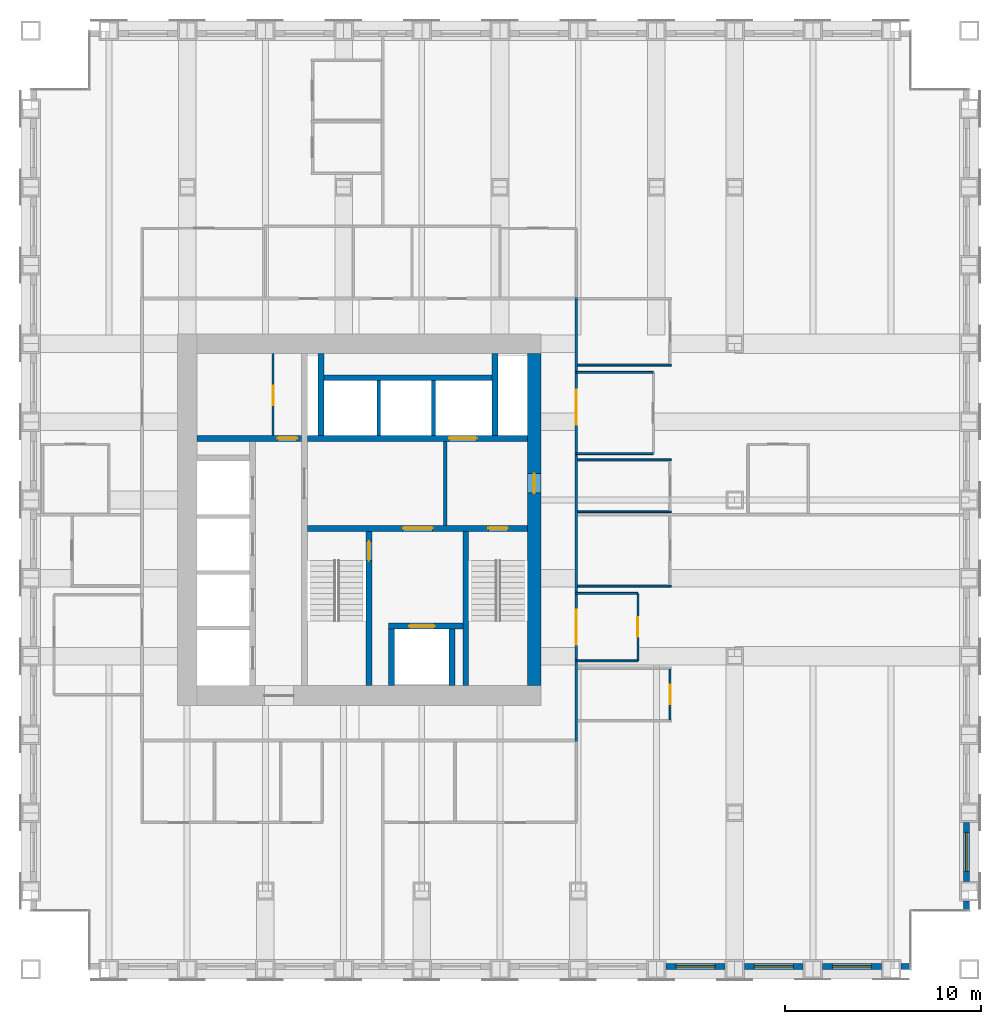
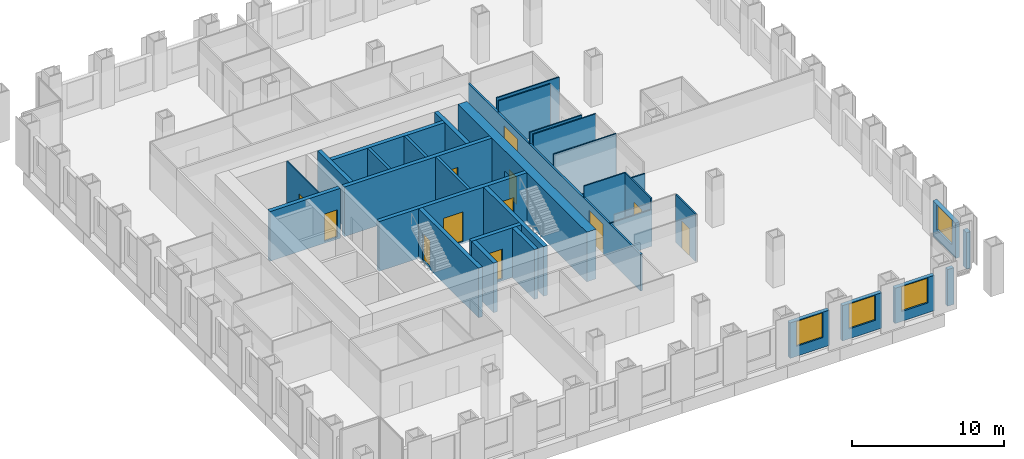
# One storey, part 12 of 16: 33 walls, 12 doors, 4 windows, 16 openings.
"""IFC4 building model written with IfcOpenShell, lengths in metres."""

from ifc_helpers import new_model, si_unit, direction, frame, frame_2d, origin, place, context, subcontext, project, spatial, rectangle, extrude, material, layer, layer_set, type_object, element, fill, save


model = new_model("IFC4")

# Units and contexts
model_context = context("Model", 3, precision=1e-05, world=origin(), true_north=direction((0.0, 1.0)))
body_context = subcontext(model_context, "Body", "Model", "MODEL_VIEW")
ifc_project = project(units=[si_unit("LENGTHUNIT", "METRE"), si_unit("AREAUNIT", "SQUARE_METRE"), si_unit("VOLUMEUNIT", "CUBIC_METRE"), si_unit("PLANEANGLEUNIT", "RADIAN"), si_unit("MASSUNIT", "GRAM", prefix="KILO")], contexts=[model_context])

# Site, building, storey
site_placement = place(None, origin())
site = spatial("IfcSite", under=ifc_project, at=site_placement, CompositionType="ELEMENT")
building_placement = place(site_placement, origin())
building = spatial("IfcBuilding", under=site, at=building_placement, Name="Rimbunsela Tower", CompositionType="ELEMENT")
storey_placement = place(building_placement, frame((0.0, 0.0, 129.39990234375)))
storey = spatial("IfcBuildingStorey", under=building, at=storey_placement, Name="L31", CompositionType="ELEMENT", Elevation=129.39990234375)

# Wall, openings, doors
ifc_material_1 = material(Name="Concrete fc' 80 MPa", Category="concrete")
ifc_layer_1 = layer(ifc_material_1, 0.300048828125)
ifc_layer_set_1 = layer_set([ifc_layer_1], Name="Core internal wall 300")
wall_type_1 = type_object("IfcWallType", Name="Core internal wall 300", PredefinedType="SHEAR", material=ifc_layer_set_1)
wall_1_placement = place(storey_placement, frame((24.14990234375, 26.550048828125, -0.14990234375), z_axis=(0.0, 0.0, 1.0), x_axis=(1.0, 0.0, 0.0)))
wall_1 = element("IfcWall", 1, at=wall_1_placement, inside=storey, type_object=wall_type_1, Name="Core wall lobby south", PredefinedType="SHEAR", context=body_context, shape_type="SweptSolid", body=[
    extrude(rectangle(XDim=11.25, YDim=0.300048828125, at=frame_2d((5.625, 0.0))), origin(), (0.0, 0.0, 1.0), 4.0),
])
opening_1_placement = place(wall_1_placement, frame((9.25, 0.0, 0.14990234375)))
opening_1 = element("IfcOpeningElement", 2, at=opening_1_placement, cuts=wall_1, Name="Opening D01", PredefinedType="OPENING", context=body_context, shape_type="SweptSolid", body=[
    extrude(rectangle(XDim=1.0, YDim=2.199951171875, at=frame_2d((0.5, 1.10009765625))), frame((0.0, 0.159912109375, 0.0), z_axis=(0.0, -1.0, 0.0), x_axis=(1.0, 0.0, 0.0)), (0.0, 0.0, 1.0), 0.320068359375),
])
opening_2_placement = place(wall_1_placement, frame((4.89990234375, 0.0, 0.14990234375)))
opening_2 = element("IfcOpeningElement", 3, at=opening_2_placement, cuts=wall_1, Name="Opening D03", PredefinedType="OPENING", context=body_context, shape_type="SweptSolid", body=[
    extrude(rectangle(XDim=1.5, YDim=2.39990234375, at=frame_2d((0.75, 1.199951171875))), frame((0.0, 0.159912109375, 0.0), z_axis=(0.0, -1.0, 0.0), x_axis=(1.0, 0.0, 0.0)), (0.0, 0.0, 1.0), 0.320068359375),
])
ifc_material_2 = material(Name="Steel door, fire rated", Category="steel")
door_type_1 = type_object("IfcDoorType", Name="Core lobby door 1500", OperationType="DOUBLE_DOOR_DOUBLE_SWING", PredefinedType="DOOR", material=ifc_material_2)
door_1_placement = place(opening_2_placement, origin())
door_1 = element("IfcDoor", 4, at=door_1_placement, inside=storey, type_object=door_type_1, Name="Firefighting lobby door", OperationType="DOUBLE_DOOR_DOUBLE_SWING", OverallHeight=2.39990234375, OverallWidth=1.5, PredefinedType="DOOR", context=body_context, shape_type="SweptSolid", body=[
    extrude(rectangle(XDim=1.5, YDim=2.39990234375, at=frame_2d((0.75, 1.199951171875))), frame((0.0, 0.02490234375, 0.0), z_axis=(0.0, -1.0, 0.0), x_axis=(1.0, 0.0, 0.0)), (0.0, 0.0, 1.0), 0.050048828125),
])
fill(opening_2, door_1)
ifc_material_3 = material(Name="Steel door, fire rated", Category="steel")
door_type_2 = type_object("IfcDoorType", Name="Stair door 1000", OperationType="SINGLE_SWING_RIGHT", PredefinedType="DOOR", material=ifc_material_3)
door_2_placement = place(opening_1_placement, frame((1.0, 0.0, 0.0), z_axis=(0.0, 0.0, 1.0), x_axis=(-1.0, 0.0, 0.0)))
door_2 = element("IfcDoor", 5, at=door_2_placement, inside=storey, type_object=door_type_2, Name="Stair B door", OperationType="SINGLE_SWING_RIGHT", OverallHeight=2.199951171875, OverallWidth=1.0, PredefinedType="DOOR", context=body_context, shape_type="SweptSolid", body=[
    extrude(rectangle(XDim=1.0, YDim=2.199951171875, at=frame_2d((0.5, 1.10009765625))), frame((0.0, 0.02490234375, 0.0), z_axis=(0.0, -1.0, 0.0), x_axis=(1.0, 0.0, 0.0)), (0.0, 0.0, 1.0), 0.050048828125),
])
fill(opening_1, door_2)

# Wall, opening, door
wall_2_placement = place(storey_placement, frame((27.300048828125, 18.5, -0.14990234375), z_axis=(0.0, 0.0, 1.0), x_axis=(0.0, 1.0, 0.0)))
wall_2 = element("IfcWall", 6, at=wall_2_placement, inside=storey, type_object=wall_type_1, Name="Stair A enclosure", PredefinedType="SHEAR", context=body_context, shape_type="SweptSolid", body=[
    extrude(rectangle(XDim=7.89990234375, YDim=0.300048828125, at=frame_2d((3.949951171875, 0.0))), origin(), (0.0, 0.0, 1.0), 4.0),
])
opening_3_placement = place(wall_2_placement, frame((6.39990234375, 0.0, 0.14990234375)))
opening_3 = element("IfcOpeningElement", 7, at=opening_3_placement, cuts=wall_2, Name="Opening D01", PredefinedType="OPENING", context=body_context, shape_type="SweptSolid", body=[
    extrude(rectangle(XDim=1.0, YDim=2.199951171875, at=frame_2d((0.5, 1.10009765625))), frame((0.0, 0.159912109375, 0.0), z_axis=(0.0, -1.0, 0.0), x_axis=(1.0, 0.0, 0.0)), (0.0, 0.0, 1.0), 0.320068359375),
])
door_3_placement = place(opening_3_placement, origin())
door_3 = element("IfcDoor", 8, at=door_3_placement, inside=storey, type_object=door_type_2, Name="Stair A door", OperationType="SINGLE_SWING_RIGHT", OverallHeight=2.199951171875, OverallWidth=1.0, PredefinedType="DOOR", context=body_context, shape_type="SweptSolid", body=[
    extrude(rectangle(XDim=1.0, YDim=2.199951171875, at=frame_2d((0.5, 1.10009765625))), frame((0.0, 0.02490234375, 0.0), z_axis=(0.0, -1.0, 0.0), x_axis=(1.0, 0.0, 0.0)), (0.0, 0.0, 1.0), 0.050048828125),
])
fill(opening_3, door_3)

# Walls
wall_3_placement = place(storey_placement, frame((32.25, 18.5, -0.14990234375), z_axis=(0.0, 0.0, 1.0), x_axis=(0.0, 1.0, 0.0)))
element("IfcWall", 9, at=wall_3_placement, inside=storey, type_object=wall_type_1, Name="Stair B enclosure", PredefinedType="SHEAR", context=body_context, shape_type="SweptSolid", body=[
    extrude(rectangle(XDim=7.89990234375, YDim=0.300048828125, at=frame_2d((3.949951171875, 0.0))), origin(), (0.0, 0.0, 1.0), 4.0),
])
for number, where, z_axis, x_axis, name in (
    (10, (28.449951171875, 18.5, -0.14990234375), (0.0, 0.0, 1.0), (0.0, 1.0, 0.0), "Firefighting lift shaft west"),
    (11, (31.550048828125, 18.5, -0.14990234375), (0.0, 0.0, 1.0), (0.0, 1.0, 0.0), "Firefighting lift shaft east"),
):
    element("IfcWall", number, at=place(storey_placement, frame(where, z_axis=z_axis, x_axis=x_axis)), inside=storey, type_object=wall_type_1, Name=name, PredefinedType="SHEAR", context=body_context, shape_type="SweptSolid", body=[
        extrude(rectangle(XDim=2.89990234375, YDim=0.300048828125, at=frame_2d((1.449951171875, 0.0))), origin(), (0.0, 0.0, 1.0), 4.0),
    ])

# Wall, opening, door
wall_4_placement = place(storey_placement, frame((28.300048828125, 21.550048828125, -0.14990234375), z_axis=(0.0, 0.0, 1.0), x_axis=(1.0, 0.0, 0.0)))
wall_4 = element("IfcWall", 12, at=wall_4_placement, inside=storey, type_object=wall_type_1, Name="Firefighting lift shaft front", PredefinedType="SHEAR", context=body_context, shape_type="SweptSolid", body=[
    extrude(rectangle(XDim=3.800048828125, YDim=0.300048828125, at=frame_2d((1.89990234375, 0.0))), origin(), (0.0, 0.0, 1.0), 4.0),
])
opening_4_placement = place(wall_4_placement, frame((1.050048828125, 0.0, 0.14990234375)))
opening_4 = element("IfcOpeningElement", 13, at=opening_4_placement, cuts=wall_4, Name="Opening LD2", PredefinedType="OPENING", context=body_context, shape_type="SweptSolid", body=[
    extrude(rectangle(XDim=1.300048828125, YDim=2.39990234375, at=frame_2d((0.64990234375, 1.199951171875))), frame((0.0, 0.159912109375, 0.0), z_axis=(0.0, -1.0, 0.0), x_axis=(1.0, 0.0, 0.0)), (0.0, 0.0, 1.0), 0.320068359375),
])
ifc_material_4 = material(Name="Steel door, fire rated", Category="steel")
door_type_3 = type_object("IfcDoorType", Name="Lift landing door 1300", OperationType="DOUBLE_DOOR_SLIDING", PredefinedType="DOOR", material=ifc_material_4)
door_4_placement = place(opening_4_placement, origin())
door_4 = element("IfcDoor", 14, at=door_4_placement, inside=storey, type_object=door_type_3, Name="Lift landing door FL1", OperationType="DOUBLE_DOOR_SLIDING", OverallHeight=2.39990234375, OverallWidth=1.300048828125, PredefinedType="DOOR", context=body_context, shape_type="SweptSolid", body=[
    extrude(rectangle(XDim=1.300048828125, YDim=2.39990234375, at=frame_2d((0.64990234375, 1.199951171875))), frame((0.0, 0.02490234375, 0.0), z_axis=(0.0, -1.0, 0.0), x_axis=(1.0, 0.0, 0.0)), (0.0, 0.0, 1.0), 0.050048828125),
])
fill(opening_4, door_4)

wall_5_placement = place(storey_placement, frame((24.14990234375, 31.14990234375, -0.14990234375), z_axis=(0.0, 0.0, 1.0), x_axis=(1.0, 0.0, 0.0)))
wall_5 = element("IfcWall", 15, at=wall_5_placement, inside=storey, type_object=wall_type_1, Name="Lift shaft front north", PredefinedType="SHEAR", context=body_context, shape_type="SweptSolid", body=[
    extrude(rectangle(XDim=11.25, YDim=0.300048828125, at=frame_2d((5.625, 0.0))), origin(), (0.0, 0.0, 1.0), 4.0),
])
opening_5_placement = place(wall_5_placement, frame((7.25, 0.0, 0.14990234375)))
opening_5 = element("IfcOpeningElement", 16, at=opening_5_placement, cuts=wall_5, Name="Opening LD3", PredefinedType="OPENING", context=body_context, shape_type="SweptSolid", body=[
    extrude(rectangle(XDim=1.39990234375, YDim=2.39990234375, at=frame_2d((0.699951171875, 1.199951171875))), frame((0.0, 0.159912109375, 0.0), z_axis=(0.0, -1.0, 0.0), x_axis=(1.0, 0.0, 0.0)), (0.0, 0.0, 1.0), 0.320068359375),
])
ifc_material_5 = material(Name="Steel door, fire rated", Category="steel")
door_type_4 = type_object("IfcDoorType", Name="Lift landing door 1400", OperationType="DOUBLE_DOOR_SLIDING", PredefinedType="DOOR", material=ifc_material_5)
door_5_placement = place(opening_5_placement, origin())
door_5 = element("IfcDoor", 17, at=door_5_placement, inside=storey, type_object=door_type_4, Name="Lift landing door FL2", OperationType="DOUBLE_DOOR_SLIDING", OverallHeight=2.39990234375, OverallWidth=1.39990234375, PredefinedType="DOOR", context=body_context, shape_type="SweptSolid", body=[
    extrude(rectangle(XDim=1.39990234375, YDim=2.39990234375, at=frame_2d((0.699951171875, 1.199951171875))), frame((0.0, 0.02490234375, 0.0), z_axis=(0.0, -1.0, 0.0), x_axis=(1.0, 0.0, 0.0)), (0.0, 0.0, 1.0), 0.050048828125),
])
fill(opening_5, door_5)

wall_6_placement = place(storey_placement, frame((18.5, 31.14990234375, -0.14990234375), z_axis=(0.0, 0.0, 1.0), x_axis=(1.0, 0.0, 0.0)))
wall_6 = element("IfcWall", 18, at=wall_6_placement, inside=storey, type_object=wall_type_1, Name="Store wall", PredefinedType="SHEAR", context=body_context, shape_type="SweptSolid", body=[
    extrude(rectangle(XDim=5.35009765625, YDim=0.300048828125, at=frame_2d((2.675048828125, 0.0))), origin(), (0.0, 0.0, 1.0), 4.0),
])
opening_6_placement = place(wall_6_placement, frame((4.125, 0.0, 0.14990234375)))
opening_6 = element("IfcOpeningElement", 19, at=opening_6_placement, cuts=wall_6, Name="Opening D19", PredefinedType="OPENING", context=body_context, shape_type="SweptSolid", body=[
    extrude(rectangle(XDim=1.0, YDim=2.199951171875, at=frame_2d((0.5, 1.10009765625))), frame((0.0, 0.159912109375, 0.0), z_axis=(0.0, -1.0, 0.0), x_axis=(1.0, 0.0, 0.0)), (0.0, 0.0, 1.0), 0.320068359375),
])
ifc_material_6 = material(Name="Steel door, fire rated", Category="steel")
door_type_5 = type_object("IfcDoorType", Name="Service door 1000 fire rated", OperationType="SINGLE_SWING_LEFT", PredefinedType="DOOR", material=ifc_material_6)
door_6_placement = place(opening_6_placement, origin())
door_6 = element("IfcDoor", 20, at=door_6_placement, inside=storey, type_object=door_type_5, Name="Facilities store door", OperationType="SINGLE_SWING_LEFT", OverallHeight=2.199951171875, OverallWidth=1.0, PredefinedType="DOOR", context=body_context, shape_type="SweptSolid", body=[
    extrude(rectangle(XDim=1.0, YDim=2.199951171875, at=frame_2d((0.5, 1.10009765625))), frame((0.0, 0.02490234375, 0.0), z_axis=(0.0, -1.0, 0.0), x_axis=(1.0, 0.0, 0.0)), (0.0, 0.0, 1.0), 0.050048828125),
])
fill(opening_6, door_6)

# Walls
for number, where, z_axis, x_axis, name in (
    (21, (24.85009765625, 31.300048828125, -0.14990234375), (0.0, 0.0, 1.0), (0.0, 1.0, 0.0), "Riser wall"),
    (22, (33.75, 31.300048828125, -0.14990234375), (0.0, 0.0, 1.0), (0.0, 1.0, 0.0), "Riser wall"),
):
    element("IfcWall", number, at=place(storey_placement, frame(where, z_axis=z_axis, x_axis=x_axis)), inside=storey, type_object=wall_type_1, Name=name, PredefinedType="SHEAR", context=body_context, shape_type="SweptSolid", body=[
        extrude(rectangle(XDim=4.199951171875, YDim=0.300048828125, at=frame_2d((2.10009765625, 0.0))), origin(), (0.0, 0.0, 1.0), 4.0),
    ])
wall_7_placement = place(storey_placement, frame((25.0, 34.25, -0.14990234375), z_axis=(0.0, 0.0, 1.0), x_axis=(1.0, 0.0, 0.0)))
element("IfcWall", 23, at=wall_7_placement, inside=storey, type_object=wall_type_1, Name="Lift shaft rear north", PredefinedType="SHEAR", context=body_context, shape_type="SweptSolid", body=[
    extrude(rectangle(XDim=8.60009765625, YDim=0.300048828125, at=frame_2d((4.300048828125, 0.0))), origin(), (0.0, 0.0, 1.0), 4.0),
])

# Wall, opening, door
ifc_material_7 = material(Name="Concrete blockwork", Category="masonry")
ifc_layer_2 = layer(ifc_material_7, 0.10009765625)
ifc_layer_set_2 = layer_set([ifc_layer_2], Name="Core room partition 100")
wall_type_2 = type_object("IfcWallType", Name="Core room partition 100", PredefinedType="PARTITIONING", material=ifc_layer_set_2)
wall_8_placement = place(storey_placement, frame((22.39990234375, 31.300048828125, 0.0), z_axis=(0.0, 0.0, 1.0), x_axis=(0.0, 1.0, 0.0)))
wall_8 = element("IfcWall", 24, at=wall_8_placement, inside=storey, type_object=wall_type_2, Name="Tenant store wall", PredefinedType="PARTITIONING", context=body_context, shape_type="SweptSolid", body=[
    extrude(rectangle(XDim=4.199951171875, YDim=0.10009765625, at=frame_2d((2.10009765625, 0.0))), origin(), (0.0, 0.0, 1.0), 3.85009765625),
])
opening_7_placement = place(wall_8_placement, frame((1.550048828125, 0.0, 0.0)))
opening_7 = element("IfcOpeningElement", 25, at=opening_7_placement, cuts=wall_8, Name="Opening D19", PredefinedType="OPENING", context=body_context, shape_type="SweptSolid", body=[
    extrude(rectangle(XDim=1.0, YDim=2.199951171875, at=frame_2d((0.5, 1.10009765625))), frame((0.0, 0.06005859375, 0.0), z_axis=(0.0, -1.0, 0.0), x_axis=(1.0, 0.0, 0.0)), (0.0, 0.0, 1.0), 0.1201171875),
])
door_7_placement = place(opening_7_placement, origin())
door_7 = element("IfcDoor", 26, at=door_7_placement, inside=storey, type_object=door_type_5, Name="Tenant store door", OperationType="SINGLE_SWING_LEFT", OverallHeight=2.199951171875, OverallWidth=1.0, PredefinedType="DOOR", context=body_context, shape_type="SweptSolid", body=[
    extrude(rectangle(XDim=1.0, YDim=2.199951171875, at=frame_2d((0.5, 1.10009765625))), frame((0.0, 0.02490234375, 0.0), z_axis=(0.0, -1.0, 0.0), x_axis=(1.0, 0.0, 0.0)), (0.0, 0.0, 1.0), 0.050048828125),
])
fill(opening_7, door_7)

ifc_material_8 = material(Name="Concrete fc' 80 MPa", Category="concrete")
ifc_layer_3 = layer(ifc_material_8, 0.699951171875)
ifc_layer_set_3 = layer_set([ifc_layer_3], Name="Core wall 700 east")
wall_type_3 = type_object("IfcWallType", Name="Core wall 700 east", PredefinedType="SHEAR", material=ifc_layer_set_3)
wall_9_placement = place(storey_placement, frame((35.75, 18.5, -0.14990234375), z_axis=(0.0, 0.0, 1.0), x_axis=(0.0, 1.0, 0.0)))
wall_9 = element("IfcWall", 27, at=wall_9_placement, inside=storey, type_object=wall_type_3, Name="Core wall east", PredefinedType="SHEAR", context=body_context, shape_type="SweptSolid", body=[
    extrude(rectangle(XDim=17.0, YDim=0.699951171875, at=frame_2d((8.5, 0.0))), origin(), (0.0, 0.0, 1.0), 4.0),
])
opening_8_placement = place(wall_9_placement, frame((9.85009765625, 0.0, 0.14990234375)))
opening_8 = element("IfcOpeningElement", 28, at=opening_8_placement, cuts=wall_9, Name="Opening D01", PredefinedType="OPENING", context=body_context, shape_type="SweptSolid", body=[
    extrude(rectangle(XDim=1.0, YDim=2.199951171875, at=frame_2d((0.5, 1.10009765625))), frame((0.0, 0.35986328125, 0.0), z_axis=(0.0, -1.0, 0.0), x_axis=(1.0, 0.0, 0.0)), (0.0, 0.0, 1.0), 0.719970703125),
])
door_8_placement = place(opening_8_placement, origin())
door_8 = element("IfcDoor", 29, at=door_8_placement, inside=storey, type_object=door_type_2, Name="Firefighting lobby 2 door", OperationType="SINGLE_SWING_RIGHT", OverallHeight=2.199951171875, OverallWidth=1.0, PredefinedType="DOOR", context=body_context, shape_type="SweptSolid", body=[
    extrude(rectangle(XDim=1.0, YDim=2.199951171875, at=frame_2d((0.5, 1.10009765625))), frame((0.0, 0.02490234375, 0.0), z_axis=(0.0, -1.0, 0.0), x_axis=(1.0, 0.0, 0.0)), (0.0, 0.0, 1.0), 0.050048828125),
])
fill(opening_8, door_8)

# Walls
ifc_material_9 = material(Name="Concrete blockwork", Category="masonry")
ifc_layer_4 = layer(ifc_material_9, 0.199951171875)
ifc_layer_set_4 = layer_set([ifc_layer_4], Name="Lift shaft wall 200")
wall_type_4 = type_object("IfcWallType", Name="Lift shaft wall 200", PredefinedType="SOLIDWALL", material=ifc_layer_set_4)
for number, where, z_axis, x_axis, name in (
    (30, (27.800048828125, 31.300048828125, -0.14990234375), (0.0, 0.0, 1.0), (0.0, 1.0, 0.0), "Lift shaft separation"),
    (31, (30.60009765625, 31.300048828125, -0.14990234375), (0.0, 0.0, 1.0), (0.0, 1.0, 0.0), "Lift shaft separation"),
):
    element("IfcWall", number, at=place(storey_placement, frame(where, z_axis=z_axis, x_axis=x_axis)), inside=storey, type_object=wall_type_4, Name=name, PredefinedType="SOLIDWALL", context=body_context, shape_type="SweptSolid", body=[
        extrude(rectangle(XDim=2.800048828125, YDim=0.199951171875, at=frame_2d((1.39990234375, 0.0))), origin(), (0.0, 0.0, 1.0), 4.0),
    ])
wall_10_placement = place(storey_placement, frame((31.199951171875, 26.699951171875, 0.0), z_axis=(0.0, 0.0, 1.0), x_axis=(0.0, 1.0, 0.0)))
element("IfcWall", 32, at=wall_10_placement, inside=storey, type_object=wall_type_4, Name="Firefighting lobby 2 wall", PredefinedType="SOLIDWALL", context=body_context, shape_type="SweptSolid", body=[
    extrude(rectangle(XDim=4.300048828125, YDim=0.199951171875, at=frame_2d((2.14990234375, 0.0))), origin(), (0.0, 0.0, 1.0), 3.85009765625),
])
ifc_material_10 = material(Name="Gypsum board on steel studs", Category="steel")
ifc_layer_5 = layer(ifc_material_10, 0.10009765625)
ifc_layer_set_5 = layer_set([ifc_layer_5], Name="Office partition 100")
wall_type_5 = type_object("IfcWallType", Name="Office partition 100", PredefinedType="PARTITIONING", material=ifc_layer_set_5)
wall_11_placement = place(storey_placement, frame((37.97509765625, 23.59912109375, 0.0), z_axis=(0.0, 0.0, 1.0), x_axis=(1.0, 0.0, 0.0)))
element("IfcWall", 33, at=wall_11_placement, inside=storey, type_object=wall_type_5, Name="Office partition", PredefinedType="PARTITIONING", context=body_context, shape_type="SweptSolid", body=[
    extrude(rectangle(XDim=4.77490234375, YDim=0.10009765625, at=frame_2d((2.387451171875, 0.0))), origin(), (0.0, 0.0, 1.0), 2.9501953125),
])
for number, where, z_axis, x_axis, name in (
    (34, (37.97509765625, 27.39990234375, 0.0), (0.0, 0.0, 1.0), (1.0, 0.0, 0.0), "Office partition"),
    (35, (37.97509765625, 30.050048828125, 0.0), (0.0, 0.0, 1.0), (1.0, 0.0, 0.0), "Office partition"),
    (36, (37.97509765625, 34.89990234375, 0.0), (0.0, 0.0, 1.0), (1.0, 0.0, 0.0), "Office partition"),
):
    element("IfcWall", number, at=place(storey_placement, frame(where, z_axis=z_axis, x_axis=x_axis)), inside=storey, type_object=wall_type_5, Name=name, PredefinedType="PARTITIONING", context=body_context, shape_type="SweptSolid", body=[
        extrude(rectangle(XDim=4.77490234375, YDim=0.10009765625, at=frame_2d((2.387451171875, 0.0))), origin(), (0.0, 0.0, 1.0), 3.85009765625),
    ])

# Wall, opening, door
wall_12_placement = place(storey_placement, frame((42.699951171875, 16.75, 0.0), z_axis=(0.0, 0.0, 1.0), x_axis=(0.0, 1.0, 0.0)))
wall_12 = element("IfcWall", 37, at=wall_12_placement, inside=storey, type_object=wall_type_5, Name="Office partition", PredefinedType="PARTITIONING", context=body_context, shape_type="SweptSolid", body=[
    extrude(rectangle(XDim=2.59912109375, YDim=0.10009765625, at=frame_2d((1.299560546875, 0.0))), origin(), (0.0, 0.0, 1.0), 3.85009765625),
])
opening_9_placement = place(wall_12_placement, frame((0.799560546875, 0.0, 0.0)))
opening_9 = element("IfcOpeningElement", 38, at=opening_9_placement, cuts=wall_12, Name="Opening D16", PredefinedType="OPENING", context=body_context, shape_type="SweptSolid", body=[
    extrude(rectangle(XDim=1.0, YDim=2.199951171875, at=frame_2d((0.5, 1.10009765625))), frame((0.0, 0.06005859375, 0.0), z_axis=(0.0, -1.0, 0.0), x_axis=(1.0, 0.0, 0.0)), (0.0, 0.0, 1.0), 0.1201171875),
])
ifc_material_11 = material(Name="Timber door", Category="wood")
door_type_6 = type_object("IfcDoorType", Name="Office door 1000", OperationType="SINGLE_SWING_LEFT", PredefinedType="DOOR", material=ifc_material_11)
door_9_placement = place(opening_9_placement, origin())
door_9 = element("IfcDoor", 39, at=door_9_placement, inside=storey, type_object=door_type_6, Name="Office door", OperationType="SINGLE_SWING_LEFT", OverallHeight=2.199951171875, OverallWidth=1.0, PredefinedType="DOOR", context=body_context, shape_type="SweptSolid", body=[
    extrude(rectangle(XDim=1.0, YDim=2.199951171875, at=frame_2d((0.5, 1.10009765625))), frame((0.0, 0.02490234375, 0.0), z_axis=(0.0, -1.0, 0.0), x_axis=(1.0, 0.0, 0.0)), (0.0, 0.0, 1.0), 0.050048828125),
])
fill(opening_9, door_9)

# Wall
wall_13_placement = place(storey_placement, frame((37.89990234375, 19.77392578125, 0.0), z_axis=(0.0, 0.0, 1.0), x_axis=(1.0, 0.0, 0.0)))
element("IfcWall", 40, at=wall_13_placement, inside=storey, type_object=wall_type_5, Name="Office partition", PredefinedType="PARTITIONING", context=body_context, shape_type="SweptSolid", body=[
    extrude(rectangle(XDim=3.150146484375, YDim=0.10009765625, at=frame_2d((1.5751953125, 0.0))), origin(), (0.0, 0.0, 1.0), 2.9501953125),
])

# Wall, opening, door
wall_14_placement = place(storey_placement, frame((41.050048828125, 19.77392578125, 0.0), z_axis=(0.0, 0.0, 1.0), x_axis=(0.0, 1.0, 0.0)))
wall_14 = element("IfcWall", 41, at=wall_14_placement, inside=storey, type_object=wall_type_5, Name="Office partition", PredefinedType="PARTITIONING", context=body_context, shape_type="SweptSolid", body=[
    extrude(rectangle(XDim=3.4501953125, YDim=0.10009765625, at=frame_2d((1.72509765625, 0.0))), origin(), (0.0, 0.0, 1.0), 3.85009765625),
])
opening_10_placement = place(wall_14_placement, frame((1.22509765625, 0.0, 0.0)))
opening_10 = element("IfcOpeningElement", 42, at=opening_10_placement, cuts=wall_14, Name="Opening D17", PredefinedType="OPENING", context=body_context, shape_type="SweptSolid", body=[
    extrude(rectangle(XDim=1.0, YDim=2.199951171875, at=frame_2d((0.5, 1.10009765625))), frame((0.0, 0.06005859375, 0.0), z_axis=(0.0, -1.0, 0.0), x_axis=(1.0, 0.0, 0.0)), (0.0, 0.0, 1.0), 0.1201171875),
])
ifc_material_12 = material(Name="Glazed aluminium door", Category="aluminium")
door_type_7 = type_object("IfcDoorType", Name="Meeting room door 1000 glazed", OperationType="SINGLE_SWING_RIGHT", PredefinedType="DOOR", material=ifc_material_12)
door_10_placement = place(opening_10_placement, origin())
door_10 = element("IfcDoor", 43, at=door_10_placement, inside=storey, type_object=door_type_7, Name="Reception door", OperationType="SINGLE_SWING_RIGHT", OverallHeight=2.199951171875, OverallWidth=1.0, PredefinedType="DOOR", context=body_context, shape_type="SweptSolid", body=[
    extrude(rectangle(XDim=1.0, YDim=2.199951171875, at=frame_2d((0.5, 1.10009765625))), frame((0.0, 0.02490234375, 0.0), z_axis=(0.0, -1.0, 0.0), x_axis=(1.0, 0.0, 0.0)), (0.0, 0.0, 1.0), 0.050048828125),
])
fill(opening_10, door_10)

# Walls
wall_15_placement = place(storey_placement, frame((41.050048828125, 23.22412109375, 0.0), z_axis=(0.0, 0.0, 1.0), x_axis=(-1.0, 0.0, 0.0)))
element("IfcWall", 44, at=wall_15_placement, inside=storey, type_object=wall_type_5, Name="Office partition", PredefinedType="PARTITIONING", context=body_context, shape_type="SweptSolid", body=[
    extrude(rectangle(XDim=3.150146484375, YDim=0.10009765625, at=frame_2d((1.5751953125, 0.0))), origin(), (0.0, 0.0, 1.0), 3.85009765625),
])
for number, where, z_axis, x_axis, name in (
    (45, (37.89990234375, 30.3759765625, 0.0), (0.0, 0.0, 1.0), (1.0, 0.0, 0.0), "Office partition"),
    (46, (41.85009765625, 34.52587890625, 0.0), (0.0, 0.0, 1.0), (-1.0, 0.0, 0.0), "Office partition"),
):
    element("IfcWall", number, at=place(storey_placement, frame(where, z_axis=z_axis, x_axis=x_axis)), inside=storey, type_object=wall_type_5, Name=name, PredefinedType="PARTITIONING", context=body_context, shape_type="SweptSolid", body=[
        extrude(rectangle(XDim=3.9501953125, YDim=0.10009765625, at=frame_2d((1.97509765625, 0.0))), origin(), (0.0, 0.0, 1.0), 3.85009765625),
    ])

# Wall, opening, window
ifc_material_13 = material(Name="Precast concrete fc' 35 MPa", Category="concrete")
ifc_layer_6 = layer(ifc_material_13, 0.300048828125)
ifc_layer_set_6 = layer_set([ifc_layer_6], Name="Precast concrete fc' 35 MPa")
wall_type_6 = type_object("IfcWallType", Name="Precast facade panel 300", PredefinedType="ELEMENTEDWALL", material=ifc_layer_set_6)
wall_16_placement = place(storey_placement, frame((42.5, 4.14990234375, 0.0), z_axis=(0.0, 0.0, 1.0), x_axis=(1.0, 0.0, 0.0)))
wall_16 = element("IfcWall", 47, at=wall_16_placement, inside=storey, type_object=wall_type_6, Name="Facade panel S L31", PredefinedType="ELEMENTEDWALL", context=body_context, shape_type="SweptSolid", body=[
    extrude(rectangle(XDim=3.0, YDim=0.300048828125, at=frame_2d((1.5, 0.0))), origin(), (0.0, 0.0, 1.0), 2.85009765625),
])
opening_11_placement = place(wall_16_placement, frame((0.5, 0.0, 0.800048828125)))
opening_11 = element("IfcOpeningElement", 48, at=opening_11_placement, cuts=wall_16, Name="Opening W1", PredefinedType="OPENING", context=body_context, shape_type="SweptSolid", body=[
    extrude(rectangle(XDim=2.0, YDim=2.0, at=frame_2d((1.0, 1.0))), frame((0.0, 0.159912109375, 0.0), z_axis=(0.0, -1.0, 0.0), x_axis=(1.0, 0.0, 0.0)), (0.0, 0.0, 1.0), 0.320068359375),
])
ifc_material_14 = material(Name="Clear glass in aluminium frame", Category="aluminium")
window_type = type_object("IfcWindowType", Name="Window W1 2000x2000", PartitioningType="DOUBLE_PANEL_VERTICAL", PredefinedType="WINDOW", material=ifc_material_14)
window_1_placement = place(opening_11_placement, origin())
window_1 = element("IfcWindow", 49, at=window_1_placement, inside=storey, type_object=window_type, Name="Window L31", OverallHeight=2.0, OverallWidth=2.0, PartitioningType="SINGLE_PANEL", PredefinedType="WINDOW", context=body_context, shape_type="SweptSolid", body=[
    extrude(rectangle(XDim=2.0, YDim=2.0, at=frame_2d((1.0, 1.0))), frame((0.0, 0.030029296875, 0.0), z_axis=(0.0, -1.0, 0.0), x_axis=(1.0, 0.0, 0.0)), (0.0, 0.0, 1.0), 0.06005859375),
])
fill(opening_11, window_1)

wall_17_placement = place(storey_placement, frame((46.5, 4.14990234375, 0.0), z_axis=(0.0, 0.0, 1.0), x_axis=(1.0, 0.0, 0.0)))
wall_17 = element("IfcWall", 50, at=wall_17_placement, inside=storey, type_object=wall_type_6, Name="Facade panel S L31", PredefinedType="ELEMENTEDWALL", context=body_context, shape_type="SweptSolid", body=[
    extrude(rectangle(XDim=3.0, YDim=0.300048828125, at=frame_2d((1.5, 0.0))), origin(), (0.0, 0.0, 1.0), 2.85009765625),
])
opening_12_placement = place(wall_17_placement, frame((0.5, 0.0, 0.800048828125)))
opening_12 = element("IfcOpeningElement", 51, at=opening_12_placement, cuts=wall_17, Name="Opening W1", PredefinedType="OPENING", context=body_context, shape_type="SweptSolid", body=[
    extrude(rectangle(XDim=2.0, YDim=2.0, at=frame_2d((1.0, 1.0))), frame((0.0, 0.159912109375, 0.0), z_axis=(0.0, -1.0, 0.0), x_axis=(1.0, 0.0, 0.0)), (0.0, 0.0, 1.0), 0.320068359375),
])
window_2_placement = place(opening_12_placement, origin())
window_2 = element("IfcWindow", 52, at=window_2_placement, inside=storey, type_object=window_type, Name="Window L31", OverallHeight=2.0, OverallWidth=2.0, PartitioningType="SINGLE_PANEL", PredefinedType="WINDOW", context=body_context, shape_type="SweptSolid", body=[
    extrude(rectangle(XDim=2.0, YDim=2.0, at=frame_2d((1.0, 1.0))), frame((0.0, 0.030029296875, 0.0), z_axis=(0.0, -1.0, 0.0), x_axis=(1.0, 0.0, 0.0)), (0.0, 0.0, 1.0), 0.06005859375),
])
fill(opening_12, window_2)

wall_18_placement = place(storey_placement, frame((50.5, 4.14990234375, 0.0), z_axis=(0.0, 0.0, 1.0), x_axis=(1.0, 0.0, 0.0)))
wall_18 = element("IfcWall", 53, at=wall_18_placement, inside=storey, type_object=wall_type_6, Name="Facade panel S L31", PredefinedType="ELEMENTEDWALL", context=body_context, shape_type="SweptSolid", body=[
    extrude(rectangle(XDim=3.0, YDim=0.300048828125, at=frame_2d((1.5, 0.0))), origin(), (0.0, 0.0, 1.0), 2.85009765625),
])
opening_13_placement = place(wall_18_placement, frame((0.5, 0.0, 0.800048828125)))
opening_13 = element("IfcOpeningElement", 54, at=opening_13_placement, cuts=wall_18, Name="Opening W1", PredefinedType="OPENING", context=body_context, shape_type="SweptSolid", body=[
    extrude(rectangle(XDim=2.0, YDim=2.0, at=frame_2d((1.0, 1.0))), frame((0.0, 0.159912109375, 0.0), z_axis=(0.0, -1.0, 0.0), x_axis=(1.0, 0.0, 0.0)), (0.0, 0.0, 1.0), 0.320068359375),
])
window_3_placement = place(opening_13_placement, origin())
window_3 = element("IfcWindow", 55, at=window_3_placement, inside=storey, type_object=window_type, Name="Window L31", OverallHeight=2.0, OverallWidth=2.0, PartitioningType="SINGLE_PANEL", PredefinedType="WINDOW", context=body_context, shape_type="SweptSolid", body=[
    extrude(rectangle(XDim=2.0, YDim=2.0, at=frame_2d((1.0, 1.0))), frame((0.0, 0.030029296875, 0.0), z_axis=(0.0, -1.0, 0.0), x_axis=(1.0, 0.0, 0.0)), (0.0, 0.0, 1.0), 0.06005859375),
])
fill(opening_13, window_3)

# Walls
for number, where, z_axis, x_axis, name in (
    (56, (54.5, 4.14990234375, 0.0), (0.0, 0.0, 1.0), (1.0, 0.0, 0.0), "Facade panel S L31"),
    (57, (57.85009765625, 7.030029296875, 0.0), (0.0, 0.0, 1.0), (0.0, 1.0, 0.0), "Facade panel E L31"),
):
    element("IfcWall", number, at=place(storey_placement, frame(where, z_axis=z_axis, x_axis=x_axis)), inside=storey, type_object=wall_type_6, Name=name, PredefinedType="ELEMENTEDWALL", context=body_context, shape_type="SweptSolid", body=[
        extrude(rectangle(XDim=0.469970703125, YDim=0.300048828125, at=frame_2d((0.23486328125, 0.0))), origin(), (0.0, 0.0, 1.0), 2.9501953125),
    ])

# Wall, opening, window
wall_19_placement = place(storey_placement, frame((57.85009765625, 8.5, 0.0), z_axis=(0.0, 0.0, 1.0), x_axis=(0.0, 1.0, 0.0)))
wall_19 = element("IfcWall", 58, at=wall_19_placement, inside=storey, type_object=wall_type_6, Name="Facade panel E L31", PredefinedType="ELEMENTEDWALL", context=body_context, shape_type="SweptSolid", body=[
    extrude(rectangle(XDim=3.0, YDim=0.300048828125, at=frame_2d((1.5, 0.0))), origin(), (0.0, 0.0, 1.0), 2.85009765625),
])
opening_14_placement = place(wall_19_placement, frame((0.5, 0.0, 0.800048828125)))
opening_14 = element("IfcOpeningElement", 59, at=opening_14_placement, cuts=wall_19, Name="Opening W1", PredefinedType="OPENING", context=body_context, shape_type="SweptSolid", body=[
    extrude(rectangle(XDim=2.0, YDim=2.0, at=frame_2d((1.0, 1.0))), frame((0.0, 0.159912109375, 0.0), z_axis=(0.0, -1.0, 0.0), x_axis=(1.0, 0.0, 0.0)), (0.0, 0.0, 1.0), 0.320068359375),
])
window_4_placement = place(opening_14_placement, origin())
window_4 = element("IfcWindow", 60, at=window_4_placement, inside=storey, type_object=window_type, Name="Window L31", OverallHeight=2.0, OverallWidth=2.0, PartitioningType="SINGLE_PANEL", PredefinedType="WINDOW", context=body_context, shape_type="SweptSolid", body=[
    extrude(rectangle(XDim=2.0, YDim=2.0, at=frame_2d((1.0, 1.0))), frame((0.0, 0.030029296875, 0.0), z_axis=(0.0, -1.0, 0.0), x_axis=(1.0, 0.0, 0.0)), (0.0, 0.0, 1.0), 0.06005859375),
])
fill(opening_14, window_4)

# Wall, openings, doors
ifc_material_15 = material(Name="Fire-rated gypsum board on steel studs, EI 60", Category="steel")
ifc_layer_7 = layer(ifc_material_15, 0.14990234375)
ifc_layer_set_7 = layer_set([ifc_layer_7], Name="Rated corridor wall 150")
wall_type_7 = type_object("IfcWallType", Name="Rated corridor wall 150", PredefinedType="PARTITIONING", material=ifc_layer_set_7)
wall_20_placement = place(storey_placement, frame((37.89990234375, 15.625, 0.0), z_axis=(0.0, 0.0, 1.0), x_axis=(0.0, 1.0, 0.0)))
wall_20 = element("IfcWall", 61, at=wall_20_placement, inside=storey, type_object=wall_type_7, Name="Corridor wall east", PredefinedType="PARTITIONING", context=body_context, shape_type="SweptSolid", body=[
    extrude(rectangle(XDim=22.75, YDim=0.14990234375, at=frame_2d((11.375, 0.0))), origin(), (0.0, 0.0, 1.0), 2.9501953125),
])
opening_15_placement = place(wall_20_placement, frame((4.97412109375, 0.0, 0.0)))
opening_15 = element("IfcOpeningElement", 62, at=opening_15_placement, cuts=wall_20, Name="Opening D09", PredefinedType="OPENING", context=body_context, shape_type="SweptSolid", body=[
    extrude(rectangle(XDim=1.800048828125, YDim=2.39990234375, at=frame_2d((0.89990234375, 1.199951171875))), frame((0.0, 0.0849609375, 0.0), z_axis=(0.0, -1.0, 0.0), x_axis=(1.0, 0.0, 0.0)), (0.0, 0.0, 1.0), 0.169921875),
])
opening_16_placement = place(wall_20_placement, frame((16.22607421875, 0.0, 0.0)))
opening_16 = element("IfcOpeningElement", 63, at=opening_16_placement, cuts=wall_20, Name="Opening D09", PredefinedType="OPENING", context=body_context, shape_type="SweptSolid", body=[
    extrude(rectangle(XDim=1.800048828125, YDim=2.39990234375, at=frame_2d((0.89990234375, 1.199951171875))), frame((0.0, 0.0849609375, 0.0), z_axis=(0.0, -1.0, 0.0), x_axis=(1.0, 0.0, 0.0)), (0.0, 0.0, 1.0), 0.169921875),
])
ifc_material_16 = material(Name="Glazed aluminium door, fire rated", Category="aluminium")
door_type_8 = type_object("IfcDoorType", Name="Tenancy door 1800 glazed", OperationType="DOUBLE_DOOR_DOUBLE_SWING", PredefinedType="DOOR", material=ifc_material_16)
door_11_placement = place(opening_15_placement, origin())
door_11 = element("IfcDoor", 64, at=door_11_placement, inside=storey, type_object=door_type_8, Name="Tenancy door", OperationType="DOUBLE_DOOR_DOUBLE_SWING", OverallHeight=2.39990234375, OverallWidth=1.800048828125, PredefinedType="DOOR", context=body_context, shape_type="SweptSolid", body=[
    extrude(rectangle(XDim=1.800048828125, YDim=2.39990234375, at=frame_2d((0.89990234375, 1.199951171875))), frame((0.0, 0.02490234375, 0.0), z_axis=(0.0, -1.0, 0.0), x_axis=(1.0, 0.0, 0.0)), (0.0, 0.0, 1.0), 0.050048828125),
])
fill(opening_15, door_11)
door_12_placement = place(opening_16_placement, origin())
door_12 = element("IfcDoor", 65, at=door_12_placement, inside=storey, type_object=door_type_8, Name="Tenancy door", OperationType="DOUBLE_DOOR_DOUBLE_SWING", OverallHeight=2.39990234375, OverallWidth=1.800048828125, PredefinedType="DOOR", context=body_context, shape_type="SweptSolid", body=[
    extrude(rectangle(XDim=1.800048828125, YDim=2.39990234375, at=frame_2d((0.89990234375, 1.199951171875))), frame((0.0, 0.02490234375, 0.0), z_axis=(0.0, -1.0, 0.0), x_axis=(1.0, 0.0, 0.0)), (0.0, 0.0, 1.0), 0.050048828125),
])
fill(opening_16, door_12)

save(model, "model.ifc")
